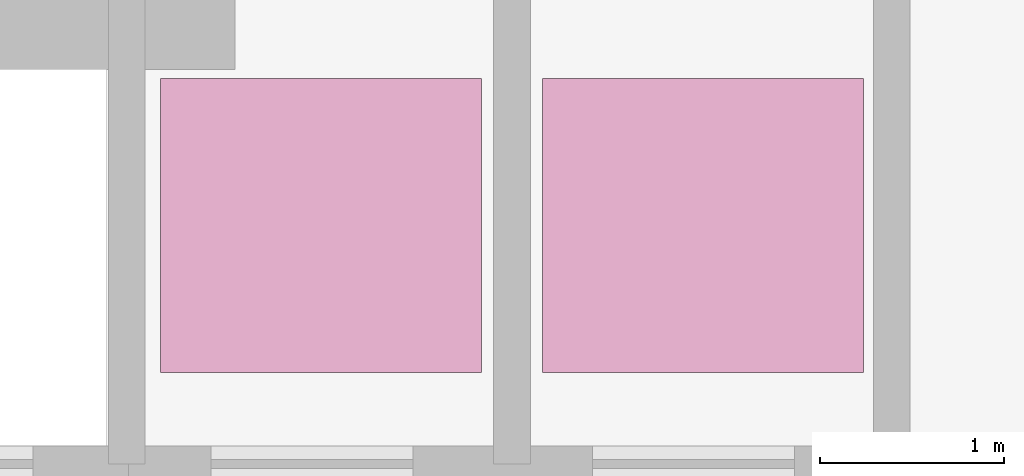
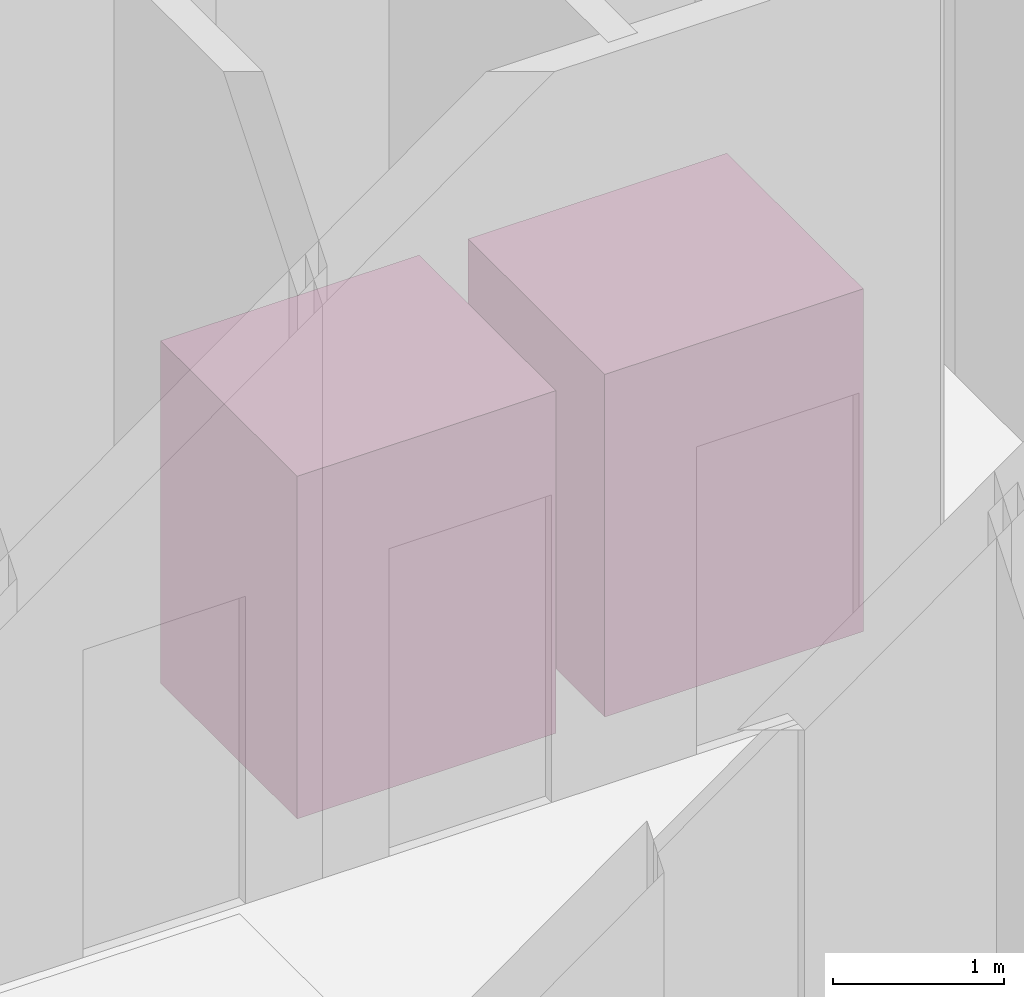
# One storey, part 24 of 24: 2 transport elements.
"""IFC4 building model written with IfcOpenShell, lengths in metres."""

from ifc_helpers import new_model, si_unit, direction, origin, place, context, subcontext, project, spatial, polyline, outline, extrude, material, type_object, element, save


model = new_model("IFC4")

# Units and contexts
model_context = context("Model", 3, precision=1e-05, world=origin(), true_north=direction((0.0, 1.0)))
body_context = subcontext(model_context, "Body", "Model", "MODEL_VIEW")
ifc_project = project(units=[si_unit("LENGTHUNIT", "METRE"), si_unit("AREAUNIT", "SQUARE_METRE"), si_unit("VOLUMEUNIT", "CUBIC_METRE"), si_unit("PLANEANGLEUNIT", "RADIAN"), si_unit("MASSUNIT", "GRAM", prefix="KILO")], contexts=[model_context])

# Site, building, storey
site_placement = place(None, origin())
site = spatial("IfcSite", under=ifc_project, at=site_placement, CompositionType="ELEMENT")
building_placement = place(site_placement, origin())
building = spatial("IfcBuilding", under=site, at=building_placement, Name="Kolvaren Belvedere", CompositionType="ELEMENT")
storey_placement = place(building_placement, origin())
storey = spatial("IfcBuildingStorey", under=building, at=storey_placement, Name="L01", CompositionType="ELEMENT", Elevation=0.0)

# Transport elements
ifc_material = material(Name="Brushed stainless steel & low-iron glass", Category="steel")
transport_element_type = type_object("IfcTransportElementType", Name="LIFT-EXP-1750", PredefinedType="ELEVATOR", material=ifc_material)
transport_element_1_placement = place(storey_placement, origin())
element("IfcTransportElement", 1, at=transport_element_1_placement, inside=storey, type_object=transport_element_type, Name="Express Observation Lift EX1", PredefinedType="ELEVATOR", context=body_context, shape_type="SweptSolid", body=[
    extrude(outline(polyline([(0.39501953125, 7.449951171875), (2.14501953125, 7.449951171875), (2.14501953125, 9.050048828125), (0.39501953125, 9.050048828125), (0.39501953125, 7.449951171875)])), origin(), (0.0, 0.0, 1.0), 2.449951171875),
])
transport_element_2_placement = place(storey_placement, origin())
element("IfcTransportElement", 2, at=transport_element_2_placement, inside=storey, type_object=transport_element_type, Name="Express Observation Lift EX2", PredefinedType="ELEVATOR", context=body_context, shape_type="SweptSolid", body=[
    extrude(outline(polyline([(2.47509765625, 7.449951171875), (4.22509765625, 7.449951171875), (4.22509765625, 9.050048828125), (2.47509765625, 9.050048828125), (2.47509765625, 7.449951171875)])), origin(), (0.0, 0.0, 1.0), 2.449951171875),
])

save(model, "model.ifc")
